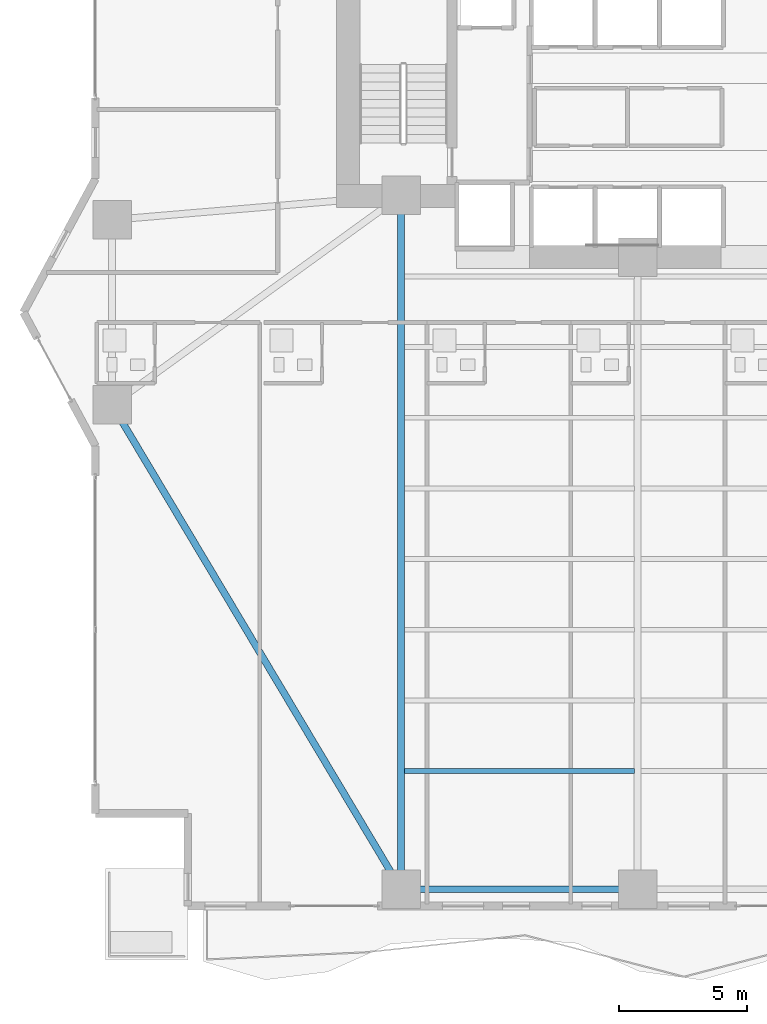
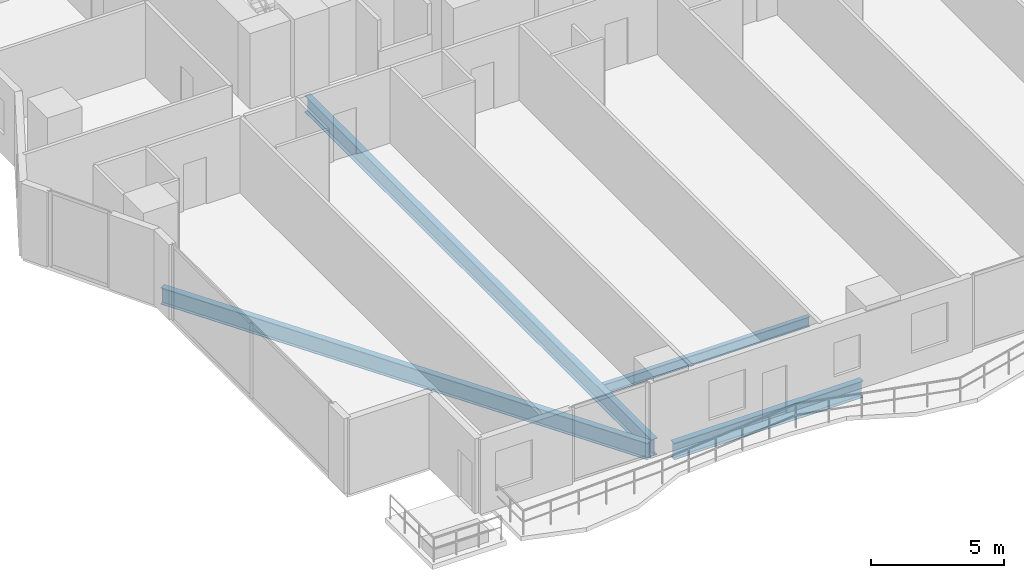
# One storey, part 3 of 28: 4 beams.
"""IFC4 building model written with IfcOpenShell, lengths in metres."""

from ifc_helpers import new_model, si_unit, direction, frame, origin, origin_2d, place, context, subcontext, project, spatial, i_section, extrude, material, material_profile, profile_set, type_object, element, save


model = new_model("IFC4")

# Units and contexts
model_context = context("Model", 3, precision=1e-05, world=origin(), true_north=direction((0.0, 1.0)))
body_context = subcontext(model_context, "Body", "Model", "MODEL_VIEW")
ifc_project = project(units=[si_unit("LENGTHUNIT", "METRE"), si_unit("AREAUNIT", "SQUARE_METRE"), si_unit("VOLUMEUNIT", "CUBIC_METRE"), si_unit("PLANEANGLEUNIT", "RADIAN"), si_unit("MASSUNIT", "GRAM", prefix="KILO")], contexts=[model_context])

# Site, building, storey
site_placement = place(None, origin())
site = spatial("IfcSite", under=ifc_project, at=site_placement, CompositionType="ELEMENT")
building_placement = place(site_placement, origin())
building = spatial("IfcBuilding", under=site, at=building_placement, Name="Zuhayl Quay Hotel", CompositionType="ELEMENT")
storey_placement = place(building_placement, frame((0.0, 0.0, 34.89990234375)))
storey = spatial("IfcBuildingStorey", under=building, at=storey_placement, Name="L07", CompositionType="ELEMENT", Elevation=34.89990234375)

# Beams
ifc_material = material(Name="Steel ASTM A992 Grade 50", Category="steel")
ifc_material_profile_1 = material_profile(ifc_material, i_section(OverallWidth=0.26708984375, OverallDepth=0.761962890625, WebThickness=0.014404296875, FlangeThickness=0.021484375, at=origin_2d()), Name="W30X116")
ifc_profile_set_1 = profile_set([ifc_material_profile_1], Name="Steel ASTM A992 Grade 50")
beam_type_1 = type_object("IfcBeamType", Name="BM_B1_W30X116", PredefinedType="BEAM", material=ifc_profile_set_1)
beam_1_placement = place(storey_placement, frame((-13.300048828125, -22.449951171875, -0.600830078125), z_axis=(1.0, 0.0, 0.0), x_axis=(0.0, 1.0, 0.0)))
element("IfcBeam", 1, at=beam_1_placement, inside=storey, type_object=beam_type_1, Name="L07 Floor Beam RG_L07_01", PredefinedType="BEAM", context=body_context, shape_type="SweptSolid", body=[
    extrude(i_section(OverallWidth=0.26708984375, OverallDepth=0.761962890625, WebThickness=0.014404296875, FlangeThickness=0.021484375, at=origin_2d()), origin(), (0.0, 0.0, 1.0), 8.199951171875),
])
beam_2_placement = place(storey_placement, frame((-24.793701171875, -4.029296875, -0.600830078125), z_axis=(0.512482593247, -0.85869761361, 0.0), x_axis=(0.85869761361, 0.512482593247, 0.0)))
element("IfcBeam", 2, at=beam_2_placement, inside=storey, type_object=beam_type_1, Name="L07 Floor Beam RG_L07_12", PredefinedType="BEAM", context=body_context, shape_type="SweptSolid", body=[
    extrude(i_section(OverallWidth=0.26708984375, OverallDepth=0.761962890625, WebThickness=0.014404296875, FlangeThickness=0.021484375, at=origin_2d()), origin(), (0.0, 0.0, 1.0), 20.9521484375),
])
beam_3_placement = place(storey_placement, frame((-13.800048828125, -21.949951171875, -0.600830078125), z_axis=(0.0, 1.0, 0.0), x_axis=(-1.0, 0.0, 0.0)))
element("IfcBeam", 3, at=beam_3_placement, inside=storey, type_object=beam_type_1, Name="L07 Floor Beam FG_S_L07_1", PredefinedType="BEAM", context=body_context, shape_type="SweptSolid", body=[
    extrude(i_section(OverallWidth=0.26708984375, OverallDepth=0.761962890625, WebThickness=0.014404296875, FlangeThickness=0.021484375, at=origin_2d()), origin(), (0.0, 0.0, 1.0), 26.050048828125),
])
ifc_material_profile_2 = material_profile(ifc_material, i_section(OverallWidth=0.18994140625, OverallDepth=0.45703125, WebThickness=0.009033203125, FlangeThickness=0.014404296875, at=origin_2d()), Name="W18X50")
ifc_profile_set_2 = profile_set([ifc_material_profile_2], Name="Steel ASTM A992 Grade 50")
beam_type_2 = type_object("IfcBeamType", Name="BM_J2_W18X50", PredefinedType="JOIST", material=ifc_profile_set_2)
beam_4_placement = place(storey_placement, frame((-13.674560546875, -17.85009765625, -0.448486328125), z_axis=(1.0, 0.0, 0.0), x_axis=(0.0, 1.0, 0.0)))
element("IfcBeam", 4, at=beam_4_placement, inside=storey, type_object=beam_type_2, Name="L07 Floor Beam FJ_L07_3_1", PredefinedType="JOIST", context=body_context, shape_type="SweptSolid", body=[
    extrude(i_section(OverallWidth=0.18994140625, OverallDepth=0.45703125, WebThickness=0.009033203125, FlangeThickness=0.014404296875, at=origin_2d()), origin(), (0.0, 0.0, 1.0), 8.948974609375),
])

save(model, "model.ifc")
